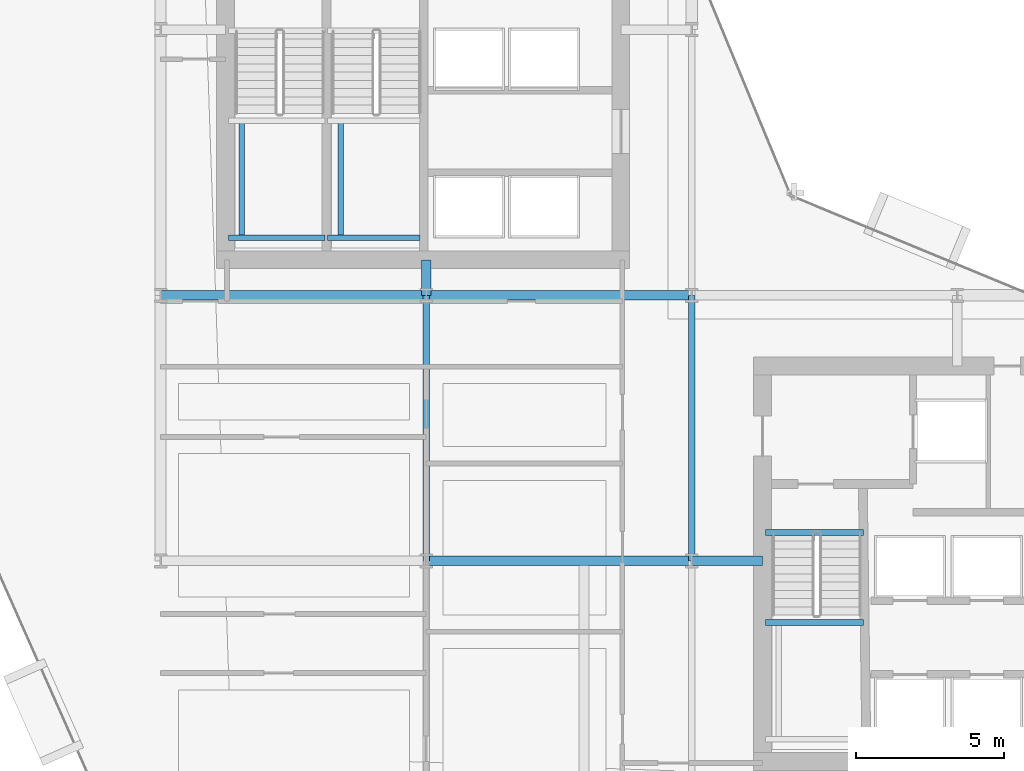
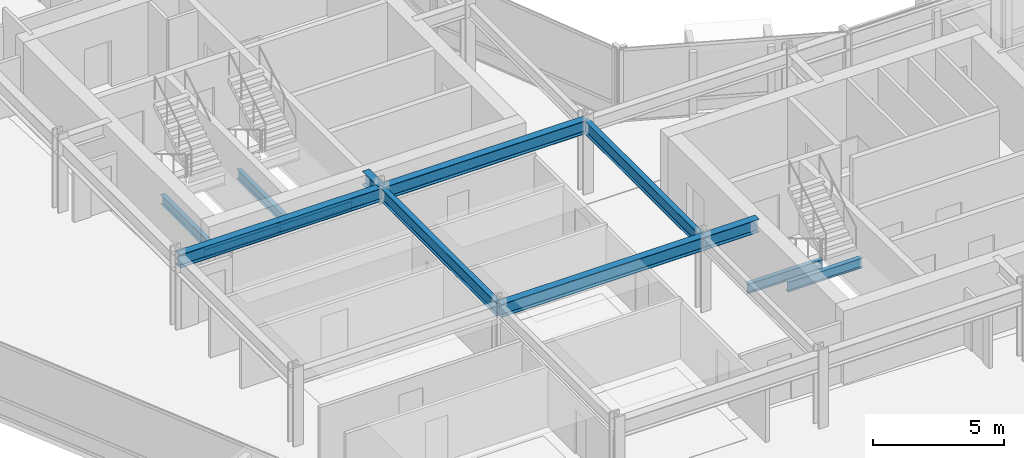
# One storey, part 7 of 34: 13 beams.
"""IFC4 building model written with IfcOpenShell, lengths in metres."""

import ifcopenshell
import ifcopenshell.guid

model = None  # the IFC model being written
_history = None  # IfcOwnerHistory: only IFC2X3 demands one
_inside = {}  # id of a spatial element -> (the spatial element, [elements in it])
_under = {}  # id of a project, library or spatial element -> (it, [spatial elements below it])
_declared = {}  # id of a project -> (the project, [libraries it declares])
_typed = {}  # id of a type object -> (the type object, [elements of that type])
_made_of = {}  # id of a material, layer set ... -> (it, [elements and type objects made of it])


def new_model(schema):
    """Start an empty IFC model of exactly this schema.

    Asked for "IFC4X3", IfcOpenShell would pick the latest addendum, in which some entities
    have other attributes; the version numbers below select the first issue.
    IFC2X3 requires an IfcOwnerHistory on every rooted entity: one is made here for all.
    """
    global model, _history
    if schema == "IFC4X3":
        model = ifcopenshell.file(schema_version=(4, 3, 0, 0))
    else:
        model = ifcopenshell.file(schema=schema)
    _inside.clear()
    _under.clear()
    _declared.clear()
    _typed.clear()
    _made_of.clear()
    _history = None
    if model.schema == "IFC2X3":
        org = make("IfcOrganization", Name="unknown")
        user = make(
            "IfcPersonAndOrganization",
            ThePerson=make("IfcPerson", FamilyName="unknown"),
            TheOrganization=org,
        )
        app = make(
            "IfcApplication",
            ApplicationDeveloper=org,
            Version="unknown",
            ApplicationFullName="unknown",
            ApplicationIdentifier="unknown",
        )
        _history = make(
            "IfcOwnerHistory",
            OwningUser=user,
            OwningApplication=app,
            ChangeAction="ADDED",
            CreationDate=0,
        )
    return model


def make(cls, **values):
    """One entity of the class cls with the attributes given. An attribute that is None is left unset."""
    return model.create_entity(
        cls, **{name: value for name, value in values.items() if value is not None}
    )


def rooted(cls, **values):
    """An entity with a GlobalId (a new one), such as an element, a storey or a relation."""
    return make(cls, GlobalId=ifcopenshell.guid.new(), OwnerHistory=_history, **values)


def si_unit(unit_type, name, prefix=None):
    """IfcSIUnit, for example si_unit("LENGTHUNIT", "METRE", prefix="MILLI")."""
    return make("IfcSIUnit", UnitType=unit_type, Prefix=prefix, Name=name)


def assignment(units):
    """IfcUnitAssignment: the units of a project."""
    return None if units is None else make("IfcUnitAssignment", Units=units)


def point(xyz):
    """IfcCartesianPoint."""
    return None if xyz is None else make("IfcCartesianPoint", Coordinates=xyz)


def direction(xyz):
    """IfcDirection."""
    return None if xyz is None else make("IfcDirection", DirectionRatios=xyz)


def frame(location, z_axis=None, x_axis=None):
    """IfcAxis2Placement3D, a coordinate frame: its origin and axes. An axis left out is left unset."""
    return make(
        "IfcAxis2Placement3D",
        Location=point(location),
        Axis=direction(z_axis),
        RefDirection=direction(x_axis),
    )


def frame_2d(location, x_axis=None):
    """IfcAxis2Placement2D, a coordinate frame in the plane: its origin and x axis."""
    return make(
        "IfcAxis2Placement2D", Location=point(location), RefDirection=direction(x_axis)
    )


def origin():
    """The frame at (0, 0, 0) with its axes left unset."""
    return frame((0.0, 0.0, 0.0))


def origin_2d():
    """The frame at (0, 0) in the plane with its x axis left unset."""
    return frame_2d((0.0, 0.0))


def place(relative_to, where):
    """IfcLocalPlacement: puts the frame where relative to a parent placement (None: the world)."""
    return make(
        "IfcLocalPlacement", PlacementRelTo=relative_to, RelativePlacement=where
    )


def context(
    kind, dimensions, precision=None, world=None, true_north=None, identifier=None
):
    """IfcGeometricRepresentationContext, for example the 3D "Model" context."""
    return make(
        "IfcGeometricRepresentationContext",
        ContextIdentifier=identifier,
        ContextType=kind,
        CoordinateSpaceDimension=dimensions,
        Precision=precision,
        WorldCoordinateSystem=world,
        TrueNorth=true_north,
    )


def subcontext(parent, identifier, kind, view, scale=None):
    """IfcGeometricRepresentationSubContext, for example "Body" below "Model"."""
    return make(
        "IfcGeometricRepresentationSubContext",
        ContextIdentifier=identifier,
        ContextType=kind,
        ParentContext=parent,
        TargetScale=scale,
        TargetView=view,
    )


def project(units=None, contexts=None):
    """IfcProject with its units and contexts."""
    return rooted(
        "IfcProject",
        Name="project",
        RepresentationContexts=contexts,
        UnitsInContext=assignment(units),
    )


def spatial(cls, under=None, at=None, **own):
    """A site, building, storey or space (cls), placed at a placement, below another one or the project."""
    s = rooted(cls, ObjectPlacement=at, **own)
    if under is not None:
        _under.setdefault(under.id(), (under, []))[1].append(s)
    return s


def profile(cls, at=None, kind="AREA", **sizes):
    """A parametric profile (cls). Its sizes go by their IFC names, for example OverallWidth=200.0."""
    return make(cls, ProfileType=kind, Position=at, **sizes)


def i_section(**sizes):
    """IfcIShapeProfileDef."""
    return profile("IfcIShapeProfileDef", **sizes)


def extrude(swept, where, along, depth):
    """IfcExtrudedAreaSolid: the profile swept, set in the frame where, extruded along a direction by depth."""
    return make(
        "IfcExtrudedAreaSolid",
        SweptArea=swept,
        Position=where,
        ExtrudedDirection=direction(along),
        Depth=depth,
    )


def shape(context_of_items, identifier, shape_type, items):
    """IfcShapeRepresentation: the items that make up one representation, for example the "Body"."""
    return make(
        "IfcShapeRepresentation",
        ContextOfItems=context_of_items,
        RepresentationIdentifier=identifier,
        RepresentationType=shape_type,
        Items=items,
    )


def material(Name=None, Category=None):
    """IfcMaterial."""
    return make("IfcMaterial", Name=Name, Category=Category)


def material_profile(
    of_material, cross_section, Name=None, Category=None, Priority=None
):
    """IfcMaterialProfile: a cross section and its material."""
    return make(
        "IfcMaterialProfile",
        Name=Name,
        Material=of_material,
        Profile=cross_section,
        Priority=Priority,
        Category=Category,
    )


def profile_set(profiles, Name=None, composite=None):
    """IfcMaterialProfileSet."""
    return make(
        "IfcMaterialProfileSet",
        Name=Name,
        MaterialProfiles=profiles,
        CompositeProfile=composite,
    )


def made_of(thing, what):
    """Note that an element or type object is made of a material, layer set ...; save() writes the relation."""
    if what is not None:
        _made_of.setdefault(what.id(), (what, []))[1].append(thing)
    return thing


def type_object(cls, material=None, **own):
    """A type object (cls), such as IfcWallType, which elements share."""
    return made_of(rooted(cls, **own), material)


def element(
    cls,
    number,
    at=None,
    inside=None,
    cuts=None,
    type_object=None,
    material=None,
    context=None,
    identifier="Body",
    shape_type=None,
    held_by="IfcProductDefinitionShape",
    body=None,
    shapes=None,
    **own,
):
    """One element of the class cls, such as IfcWall. Its Tag is "e" and its number.

    at: its placement. inside: the storey or other place that contains it. cuts: it is an
    opening in that element (IfcRelVoidsElement). A single representation is given by context,
    identifier, shape_type and body (its items); several are given by shapes. held_by: the class
    of the entity that holds the representations. save() writes the other relations.
    """
    e = rooted(cls, Tag="e%d" % number, ObjectPlacement=at, **own)
    if body is not None:
        shapes = [shape(context, identifier, shape_type, body)]
    if shapes is not None:
        e.Representation = make(held_by, Representations=shapes)
    if inside is not None:
        _inside.setdefault(inside.id(), (inside, []))[1].append(e)
    if cuts is not None:
        rooted(
            "IfcRelVoidsElement", RelatingBuildingElement=cuts, RelatedOpeningElement=e
        )
    if type_object is not None:
        _typed.setdefault(type_object.id(), (type_object, []))[1].append(e)
    return made_of(e, material)


def aggregate(whole, parts):
    """IfcRelAggregates: a whole, such as a stair, and the parts it consists of."""
    return rooted("IfcRelAggregates", RelatingObject=whole, RelatedObjects=parts)


def save(model, path):
    """Write the relations noted so far, then the file.

    IfcRelAggregates (storeys below a building ...), IfcRelContainedInSpatialStructure (elements
    in a storey), IfcRelDefinesByType, IfcRelAssociatesMaterial and IfcRelDeclares: one each for
    every whole, place, type object, material and project.
    """
    for whole, parts in _under.values():
        aggregate(whole, parts)
    for where, things in _inside.values():
        rooted(
            "IfcRelContainedInSpatialStructure",
            RelatedElements=things,
            RelatingStructure=where,
        )
    for kind, things in _typed.values():
        rooted("IfcRelDefinesByType", RelatedObjects=things, RelatingType=kind)
    for what, things in _made_of.values():
        rooted("IfcRelAssociatesMaterial", RelatedObjects=things, RelatingMaterial=what)
    for by, libraries in _declared.values():
        rooted("IfcRelDeclares", RelatingContext=by, RelatedDefinitions=libraries)
    model.write(path)


model = new_model("IFC4")

# Units and contexts
model_context = context("Model", 3, precision=1e-05, world=origin(), true_north=direction((0.0, 1.0)))
body_context = subcontext(model_context, "Body", "Model", "MODEL_VIEW")
ifc_project = project(units=[si_unit("LENGTHUNIT", "METRE"), si_unit("AREAUNIT", "SQUARE_METRE"), si_unit("VOLUMEUNIT", "CUBIC_METRE"), si_unit("PLANEANGLEUNIT", "RADIAN"), si_unit("MASSUNIT", "GRAM", prefix="KILO")], contexts=[model_context])

# Site, building, storey
site_placement = place(None, origin())
site = spatial("IfcSite", under=ifc_project, at=site_placement, CompositionType="ELEMENT")
building_placement = place(site_placement, origin())
building = spatial("IfcBuilding", under=site, at=building_placement, Name="Solvaryn Broadcast Tower", CompositionType="ELEMENT")
storey_placement = place(building_placement, frame((0.0, 0.0, 89.10009765625)))
storey = spatial("IfcBuildingStorey", under=building, at=storey_placement, Name="L21", CompositionType="ELEMENT", Elevation=89.10009765625)

# Beams
ifc_material_1 = material(Name="Steel ASTM A992 Grade 50", Category="steel")
ifc_material_profile_1 = material_profile(ifc_material_1, i_section(OverallWidth=0.323974609375, OverallDepth=0.611083984375, WebThickness=0.0126953125, FlangeThickness=0.01904296875, FilletRadius=0.014892578125, at=origin_2d()))
ifc_profile_set_1 = profile_set([ifc_material_profile_1], Name="Steel ASTM A992 Grade 50")
beam_type_1 = type_object("IfcBeamType", Name="BM-B1-W24X104", PredefinedType="BEAM", material=ifc_profile_set_1)
for number, where, z_axis, x_axis, name in (
    (1, (18.0, 18.0, 3.114501953125), (1.0, 0.0, 0.0), (0.0, 1.0, 0.0), "L21 Primary Beam X (18-27 @ Y=18)"),
    (2, (9.0, 27.0, 3.114501953125), (1.0, 0.0, 0.0), (0.0, 1.0, 0.0), "L21 Primary Beam X (9-18 @ Y=27)"),
    (3, (18.0, 27.0, 3.114501953125), (1.0, 0.0, 0.0), (0.0, 1.0, 0.0), "L21 Primary Beam X (18-27 @ Y=27)"),
):
    element("IfcBeam", number, at=place(storey_placement, frame(where, z_axis=z_axis, x_axis=x_axis)), inside=storey, type_object=beam_type_1, Name=name, PredefinedType="BEAM", context=body_context, shape_type="SweptSolid", body=[
        extrude(i_section(OverallWidth=0.323974609375, OverallDepth=0.611083984375, WebThickness=0.0126953125, FlangeThickness=0.01904296875, FilletRadius=0.014892578125, at=origin_2d()), origin(), (0.0, 0.0, 1.0), 9.0),
    ])
beam_1_placement = place(storey_placement, frame((18.0, 27.0, 3.114501953125), z_axis=(0.0, 1.0, 0.0), x_axis=(-1.0, 0.0, 0.0)))
element("IfcBeam", 4, at=beam_1_placement, inside=storey, type_object=beam_type_1, Name="L21 Core Tie Beam CTW4", PredefinedType="BEAM", context=body_context, shape_type="SweptSolid", body=[
    extrude(i_section(OverallWidth=0.323974609375, OverallDepth=0.611083984375, WebThickness=0.0126953125, FlangeThickness=0.01904296875, FilletRadius=0.014892578125, at=origin_2d()), origin(), (0.0, 0.0, 1.0), 1.199951171875),
])
beam_2_placement = place(storey_placement, frame((27.0, 18.0, 3.114501953125), z_axis=(1.0, 0.0, 0.0), x_axis=(0.0, 1.0, 0.0)))
element("IfcBeam", 5, at=beam_2_placement, inside=storey, type_object=beam_type_1, Name="L21 Core Tie Beam CTE4", PredefinedType="BEAM", context=body_context, shape_type="SweptSolid", body=[
    extrude(i_section(OverallWidth=0.323974609375, OverallDepth=0.611083984375, WebThickness=0.0126953125, FlangeThickness=0.01904296875, FilletRadius=0.014892578125, at=origin_2d()), origin(), (0.0, 0.0, 1.0), 2.39990234375),
])
ifc_material_2 = material(Name="Steel ASTM A992 Grade 50", Category="steel")
ifc_material_profile_2 = material_profile(ifc_material_2, i_section(OverallWidth=0.22802734375, OverallDepth=0.60791015625, WebThickness=0.01123046875, FlangeThickness=0.017333984375, FilletRadius=0.014892578125, at=origin_2d()))
ifc_profile_set_2 = profile_set([ifc_material_profile_2], Name="Steel ASTM A992 Grade 50")
beam_type_2 = type_object("IfcBeamType", Name="BM-B2-W24X76", PredefinedType="BEAM", material=ifc_profile_set_2)
for number, where, z_axis, x_axis, name in (
    (6, (18.0, 18.0, 3.115966796875), (0.0, 1.0, 0.0), (-1.0, 0.0, 0.0), "L21 Primary Beam Y (18-27 @ X=18)"),
    (7, (27.0, 18.0, 3.115966796875), (0.0, 1.0, 0.0), (-1.0, 0.0, 0.0), "L21 Primary Beam Y (18-27 @ X=27)"),
):
    element("IfcBeam", number, at=place(storey_placement, frame(where, z_axis=z_axis, x_axis=x_axis)), inside=storey, type_object=beam_type_2, Name=name, PredefinedType="BEAM", context=body_context, shape_type="SweptSolid", body=[
        extrude(i_section(OverallWidth=0.22802734375, OverallDepth=0.60791015625, WebThickness=0.01123046875, FlangeThickness=0.017333984375, FilletRadius=0.014892578125, at=origin_2d()), origin(), (0.0, 0.0, 1.0), 9.0),
    ])
ifc_material_3 = material(Name="Steel ASTM A992 Grade 50", Category="steel")
ifc_material_profile_3 = material_profile(ifc_material_3, i_section(OverallWidth=0.18994140625, OverallDepth=0.45703125, WebThickness=0.009033203125, FlangeThickness=0.014404296875, FilletRadius=0.011962890625, at=origin_2d()))
ifc_profile_set_3 = profile_set([ifc_material_profile_3], Name="Steel ASTM A992 Grade 50")
beam_type_3 = type_object("IfcBeamType", Name="BM-B4-W18X50", PredefinedType="BEAM", material=ifc_profile_set_3)
beam_3_placement = place(storey_placement, frame((11.300048828125, 28.949951171875, 1.42138671875), z_axis=(1.0, 0.0, 0.0), x_axis=(0.0, 1.0, 0.0)))
element("IfcBeam", 8, at=beam_3_placement, inside=storey, type_object=beam_type_3, Name="L21 ST1 Landing Support Beam 1A", PredefinedType="BEAM", context=body_context, shape_type="SweptSolid", body=[
    extrude(i_section(OverallWidth=0.18994140625, OverallDepth=0.45703125, WebThickness=0.009033203125, FlangeThickness=0.014404296875, FilletRadius=0.011962890625, at=origin_2d()), origin(), (0.0, 0.0, 1.0), 3.280029296875),
])
beam_4_placement = place(storey_placement, frame((11.75, 28.949951171875, 1.42138671875), z_axis=(0.0, 1.0, 0.0), x_axis=(-1.0, 0.0, 0.0)))
element("IfcBeam", 9, at=beam_4_placement, inside=storey, type_object=beam_type_3, Name="L21 ST1 Landing Cross Stringer 1C", PredefinedType="BEAM", context=body_context, shape_type="SweptSolid", body=[
    extrude(i_section(OverallWidth=0.18994140625, OverallDepth=0.45703125, WebThickness=0.009033203125, FlangeThickness=0.014404296875, FilletRadius=0.011962890625, at=origin_2d()), origin(), (0.0, 0.0, 1.0), 3.9599609375),
])
beam_5_placement = place(storey_placement, frame((14.659912109375, 28.949951171875, 1.42138671875), z_axis=(1.0, 0.0, 0.0), x_axis=(0.0, 1.0, 0.0)))
element("IfcBeam", 10, at=beam_5_placement, inside=storey, type_object=beam_type_3, Name="L21 ST2 Landing Support Beam 1A", PredefinedType="BEAM", context=body_context, shape_type="SweptSolid", body=[
    extrude(i_section(OverallWidth=0.18994140625, OverallDepth=0.45703125, WebThickness=0.009033203125, FlangeThickness=0.014404296875, FilletRadius=0.011962890625, at=origin_2d()), origin(), (0.0, 0.0, 1.0), 3.14013671875),
])
beam_6_placement = place(storey_placement, frame((15.110107421875, 28.949951171875, 1.42138671875), z_axis=(0.0, 1.0, 0.0), x_axis=(-1.0, 0.0, 0.0)))
element("IfcBeam", 11, at=beam_6_placement, inside=storey, type_object=beam_type_3, Name="L21 ST2 Landing Cross Stringer 1C", PredefinedType="BEAM", context=body_context, shape_type="SweptSolid", body=[
    extrude(i_section(OverallWidth=0.18994140625, OverallDepth=0.45703125, WebThickness=0.009033203125, FlangeThickness=0.014404296875, FilletRadius=0.011962890625, at=origin_2d()), origin(), (0.0, 0.0, 1.0), 3.9599609375),
])
for number, where, z_axis, x_axis, name in (
    (12, (29.5, 18.9599609375, -0.508544921875), (1.0, 0.0, 0.0), (0.0, 1.0, 0.0), "L21 ST3 Stair Well Trimmer Beam"),
    (13, (29.5, 15.909912109375, 1.42138671875), (1.0, 0.0, 0.0), (0.0, 1.0, 0.0), "L21 ST3 Landing Support Beam 1B"),
):
    element("IfcBeam", number, at=place(storey_placement, frame(where, z_axis=z_axis, x_axis=x_axis)), inside=storey, type_object=beam_type_3, Name=name, PredefinedType="BEAM", context=body_context, shape_type="SweptSolid", body=[
        extrude(i_section(OverallWidth=0.18994140625, OverallDepth=0.45703125, WebThickness=0.009033203125, FlangeThickness=0.014404296875, FilletRadius=0.011962890625, at=origin_2d()), origin(), (0.0, 0.0, 1.0), 3.320068359375),
    ])

save(model, "model.ifc")
